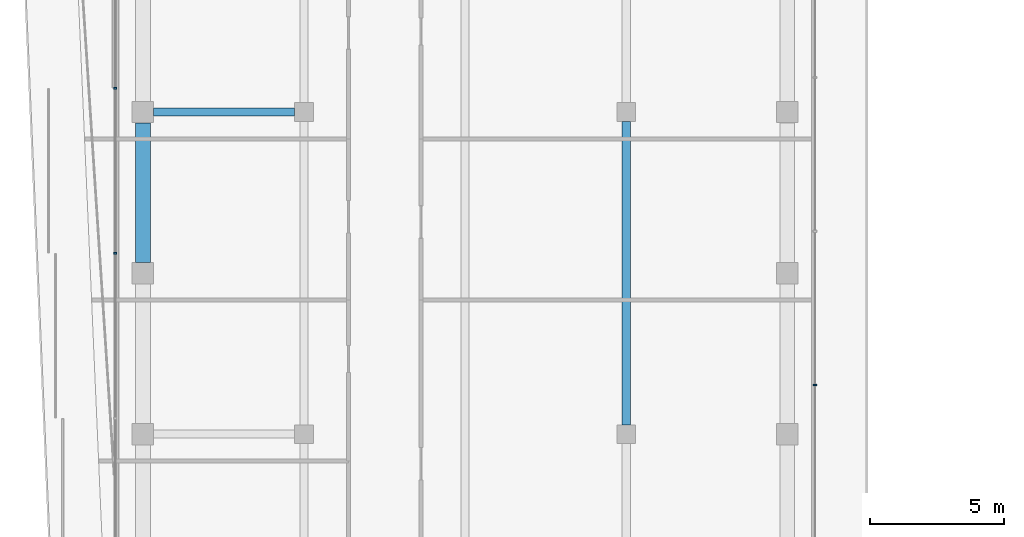
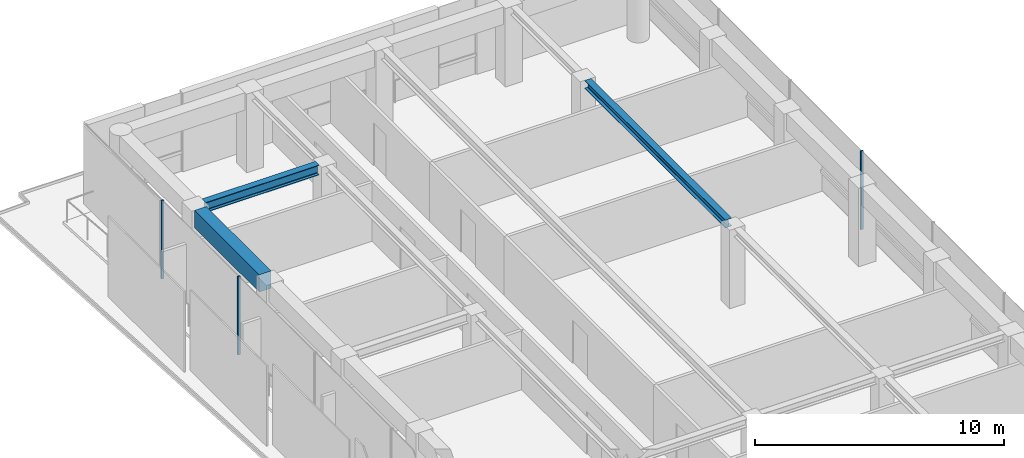
# One storey, part 13 of 21: 3 beams, 3 members, 2 elements without a shape of their own.
"""IFC4 building model written with IfcOpenShell, lengths in metres."""

from ifc_helpers import new_model, si_unit, direction, frame, origin, origin_2d, place, context, subcontext, project, spatial, rectangle, i_section, extrude, material, layer, layer_set, material_profile, profile_set, type_object, element, aggregate, save


model = new_model("IFC4")

# Units and contexts
model_context = context("Model", 3, precision=1e-05, world=origin(), true_north=direction((0.0, 1.0)))
body_context = subcontext(model_context, "Body", "Model", "MODEL_VIEW")
ifc_project = project(units=[si_unit("LENGTHUNIT", "METRE"), si_unit("AREAUNIT", "SQUARE_METRE"), si_unit("VOLUMEUNIT", "CUBIC_METRE"), si_unit("PLANEANGLEUNIT", "RADIAN"), si_unit("MASSUNIT", "GRAM", prefix="KILO")], contexts=[model_context])

# Site, building, storey
site_placement = place(None, origin())
site = spatial("IfcSite", under=ifc_project, at=site_placement, CompositionType="ELEMENT")
building_placement = place(site_placement, origin())
building = spatial("IfcBuilding", under=site, at=building_placement, Name="Welwitschia Terrace Campus", CompositionType="ELEMENT")
storey_placement = place(building_placement, frame((0.0, 0.0, 218.0)))
storey = spatial("IfcBuildingStorey", under=building, at=storey_placement, Name="L48", CompositionType="ELEMENT", Elevation=218.0)

# Beam
ifc_material_1 = material(Name="Steel S355", Category="steel")
ifc_material_profile_1 = material_profile(ifc_material_1, i_section(OverallWidth=0.300048828125, OverallDepth=0.389892578125, WebThickness=0.010986328125, FlangeThickness=0.01904296875, FilletRadius=0.027099609375, at=origin_2d()))
ifc_profile_set_1 = profile_set([ifc_material_profile_1], Name="Steel S355")
beam_type_1 = type_object("IfcBeamType", Name="Interior girder HE 400 A", PredefinedType="BEAM", material=ifc_profile_set_1)
beam_1_placement = place(storey_placement, frame((18.0, 52.3505859375, 3.655029296875), z_axis=(0.0, 1.0, 0.0), x_axis=(-1.0, 0.0, 0.0)))
element("IfcBeam", 1, at=beam_1_placement, inside=storey, type_object=beam_type_1, Name="Girder GB5", PredefinedType="BEAM", context=body_context, shape_type="SweptSolid", body=[
    extrude(i_section(OverallWidth=0.300048828125, OverallDepth=0.389892578125, WebThickness=0.010986328125, FlangeThickness=0.01904296875, FilletRadius=0.027099609375, at=origin_2d()), origin(), (0.0, 0.0, 1.0), 11.298828125),
])

# Curtain wall, member
ifc_material_2 = material(Name="Bronze anodised aluminium", Category="aluminium")
ifc_layer = layer(ifc_material_2, 0.1201171875)
ifc_layer_set = layer_set([ifc_layer], Name="Bronze anodised aluminium")
curtain_wall_type = type_object("IfcCurtainWallType", Name="Curtain wall CW2 tower 6000", PredefinedType="NOTDEFINED", material=ifc_layer_set)
curtain_wall_1_placement = place(storey_placement, origin())
curtain_wall_1 = element("IfcCurtainWall", 2, at=curtain_wall_1_placement, inside=storey, type_object=curtain_wall_type, Name="CW L48.6.0", PredefinedType="NOTDEFINED")
ifc_material_3 = material(Name="Bronze anodised aluminium", Category="aluminium")
ifc_material_profile_2 = material_profile(ifc_material_3, rectangle(XDim=0.1201171875, YDim=0.06005859375, at=origin_2d()))
ifc_profile_set_2 = profile_set([ifc_material_profile_2], Name="Bronze anodised aluminium")
member_type = type_object("IfcMemberType", Name="Mullion 60x120", PredefinedType="MULLION", material=ifc_profile_set_2)
member_1_placement = place(storey_placement, frame((25.030029296875, 53.825927734375, 0.0), z_axis=(0.0, 0.0, 1.0), x_axis=(-1.0, 0.0, 0.0)))
member_1 = element("IfcMember", 3, at=member_1_placement, type_object=member_type, Name="Mullion L48.6.0.3", PredefinedType="MULLION", context=body_context, shape_type="SweptSolid", body=[
    extrude(rectangle(XDim=0.1201171875, YDim=0.06005859375, at=origin_2d()), origin(), (0.0, 0.0, 1.0), 3.85009765625),
])
aggregate(curtain_wall_1, [member_1])

# Curtain wall, members
curtain_wall_2_placement = place(storey_placement, origin())
curtain_wall_2 = element("IfcCurtainWall", 4, at=curtain_wall_2_placement, inside=storey, type_object=curtain_wall_type, Name="CW L48.9.0", PredefinedType="NOTDEFINED")
member_2_placement = place(storey_placement, frame((-1.030029296875, 64.88427734375, 0.0), z_axis=(0.0, 0.0, 1.0), x_axis=(1.0, 0.0, 0.0)))
member_2 = element("IfcMember", 5, at=member_2_placement, type_object=member_type, Name="Mullion L48.9.0.1", PredefinedType="MULLION", context=body_context, shape_type="SweptSolid", body=[
    extrude(rectangle(XDim=0.1201171875, YDim=0.06005859375, at=origin_2d()), origin(), (0.0, 0.0, 1.0), 3.85009765625),
])
member_3_placement = place(storey_placement, frame((-1.030029296875, 58.73876953125, 0.0), z_axis=(0.0, 0.0, 1.0), x_axis=(1.0, 0.0, 0.0)))
member_3 = element("IfcMember", 6, at=member_3_placement, type_object=member_type, Name="Mullion L48.9.0.2", PredefinedType="MULLION", context=body_context, shape_type="SweptSolid", body=[
    extrude(rectangle(XDim=0.1201171875, YDim=0.06005859375, at=origin_2d()), origin(), (0.0, 0.0, 1.0), 3.85009765625),
])
aggregate(curtain_wall_2, [member_2, member_3])

# Beams
ifc_material_4 = material(Name="Steel S355", Category="steel")
ifc_material_profile_3 = material_profile(ifc_material_4, i_section(OverallWidth=0.300048828125, OverallDepth=0.489990234375, WebThickness=0.011962890625, FlangeThickness=0.02294921875, FilletRadius=0.027099609375, at=origin_2d()))
ifc_profile_set_3 = profile_set([ifc_material_profile_3], Name="Steel S355")
beam_type_2 = type_object("IfcBeamType", Name="Primary beam HE 500 A", PredefinedType="BEAM", material=ifc_profile_set_3)
beam_2_placement = place(storey_placement, frame((0.400390625, 64.0, 3.60498046875), z_axis=(1.0, 0.0, 0.0), x_axis=(0.0, 1.0, 0.0)))
element("IfcBeam", 7, at=beam_2_placement, inside=storey, type_object=beam_type_2, Name="Primary beam PB5", PredefinedType="BEAM", context=body_context, shape_type="SweptSolid", body=[
    extrude(i_section(OverallWidth=0.300048828125, OverallDepth=0.489990234375, WebThickness=0.011962890625, FlangeThickness=0.02294921875, FilletRadius=0.027099609375, at=origin_2d()), origin(), (0.0, 0.0, 1.0), 5.2490234375),
])
ifc_material_5 = material(Name="Concrete C50/60", Category="concrete")
ifc_material_profile_4 = material_profile(ifc_material_5, rectangle(XDim=0.550048828125, YDim=0.85009765625, at=origin_2d()))
ifc_profile_set_4 = profile_set([ifc_material_profile_4], Name="Concrete C50/60")
beam_type_3 = type_object("IfcBeamType", Name="Ring spandrel 550x850", PredefinedType="SPANDREL", material=ifc_profile_set_4)
beam_3_placement = place(storey_placement, frame((0.0, 63.599609375, 3.425048828125), z_axis=(0.0, -1.0, 0.0), x_axis=(1.0, 0.0, 0.0)))
element("IfcBeam", 8, at=beam_3_placement, inside=storey, type_object=beam_type_3, Name="Spandrel SP3", PredefinedType="SPANDREL", context=body_context, shape_type="SweptSolid", body=[
    extrude(rectangle(XDim=0.550048828125, YDim=0.85009765625, at=origin_2d()), origin(), (0.0, 0.0, 1.0), 5.19921875),
])

save(model, "model.ifc")
